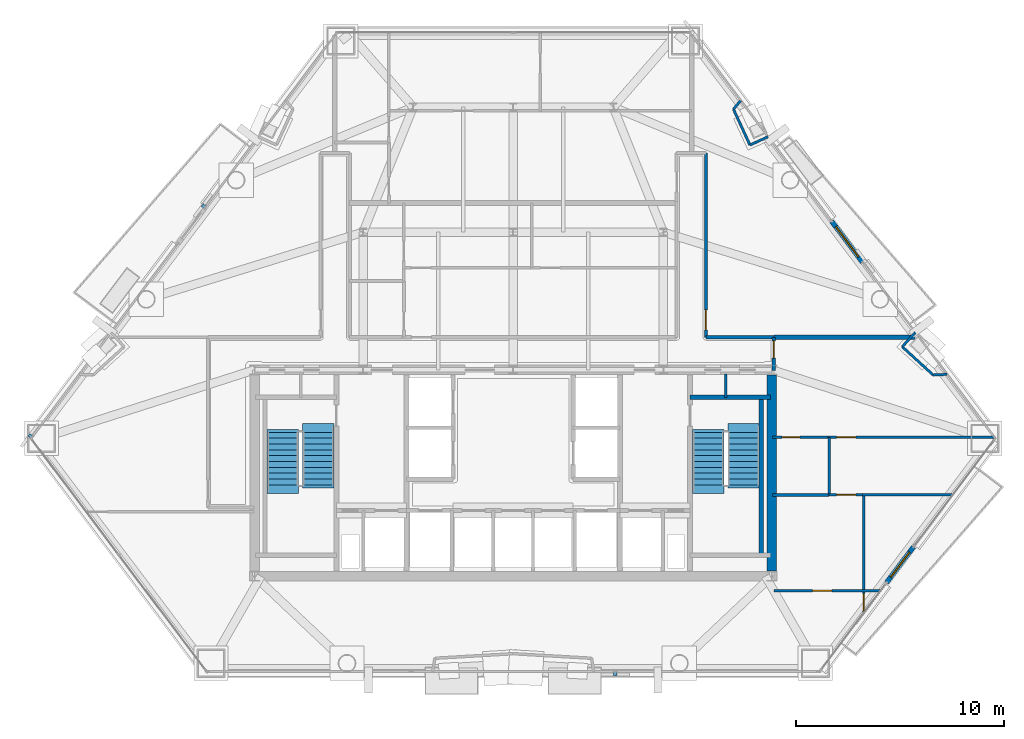
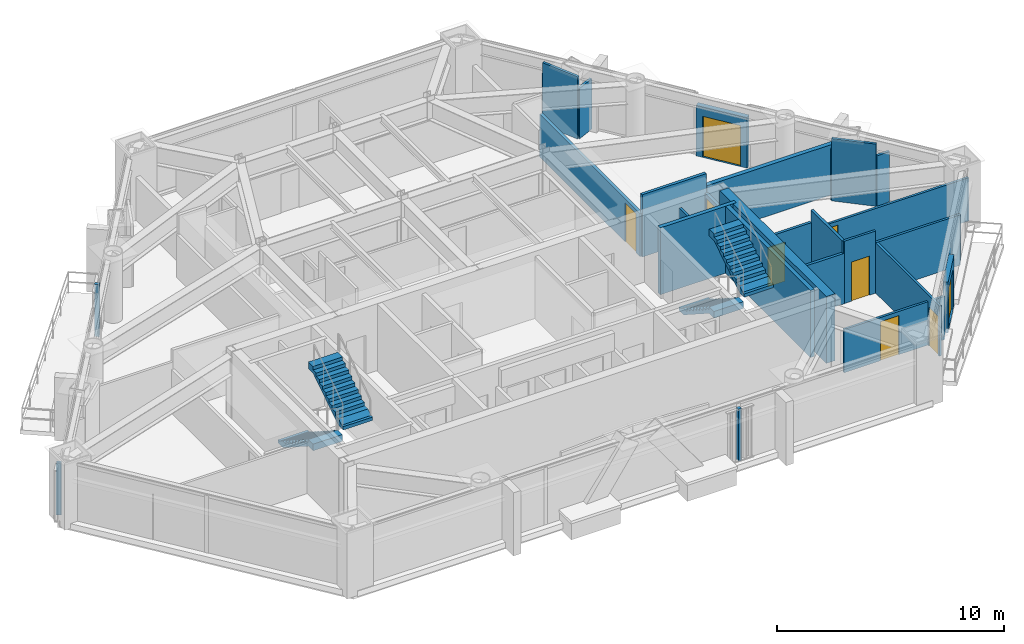
# One storey, part 8 of 11: 24 walls, 9 doors, 4 stair flights, 3 discrete accessories, 9 openings, 2 elements without a shape of their own.
"""IFC4 building model written with IfcOpenShell, lengths in metres."""

from ifc_helpers import new_model, si_unit, direction, frame, frame_2d, origin, origin_2d, place, context, subcontext, project, spatial, polyline, rectangle, outline, extrude, source, transform, mapped, material, layer, layer_set, type_object, type_shapes, element, fill, aggregate, save


model = new_model("IFC4")

# Units and contexts
model_context = context("Model", 3, precision=1e-05, world=origin(), true_north=direction((0.0, 1.0)))
body_context = subcontext(model_context, "Body", "Model", "MODEL_VIEW")
ifc_project = project(units=[si_unit("LENGTHUNIT", "METRE"), si_unit("AREAUNIT", "SQUARE_METRE"), si_unit("VOLUMEUNIT", "CUBIC_METRE"), si_unit("PLANEANGLEUNIT", "RADIAN"), si_unit("MASSUNIT", "GRAM", prefix="KILO")], contexts=[model_context])

# Site, building, storey
site_placement = place(None, origin())
site = spatial("IfcSite", under=ifc_project, at=site_placement, CompositionType="ELEMENT")
building_placement = place(site_placement, origin())
building = spatial("IfcBuilding", under=site, at=building_placement, Name="Talgorran Terracotta Tower", CompositionType="ELEMENT")
storey_placement = place(building_placement, frame((0.0, 0.0, 35.10009765625)))
storey = spatial("IfcBuildingStorey", under=building, at=storey_placement, Name="L08", CompositionType="ELEMENT", Elevation=35.10009765625)

# Wall, opening, door
ifc_material_1 = material(Name="Concrete C40/50", Category="concrete")
ifc_layer_1 = layer(ifc_material_1, 0.239990234375, Name="WT_BALCONY_SPAND")
ifc_layer_set_1 = layer_set([ifc_layer_1], Name="Concrete C40/50")
wall_type_1 = type_object("IfcWallType", Name="WT_BALCONY_SPAND", PredefinedType="STANDARD", material=ifc_layer_set_1)
wall_1_placement = place(storey_placement, frame((16.753173828125, 0.968505859375, -0.01513671875), z_axis=(0.0, 0.0, 1.0), x_axis=(-0.601871511513, 0.798592939882, 0.0)))
wall_1 = element("IfcWall", 1, at=wall_1_placement, inside=storey, type_object=wall_type_1, Name="WL-L08-BALP-BAL-NE", PredefinedType="STANDARD", context=body_context, shape_type="SweptSolid", body=[
    extrude(rectangle(XDim=2.43994140625, YDim=0.239990234375, at=frame_2d((1.219970703125, 0.0))), origin(), (0.0, 0.0, 1.0), 2.728515625),
])
opening_1_placement = place(wall_1_placement, frame((0.320068359375, 0.0, 0.014892578125)))
opening_1 = element("IfcOpeningElement", 2, at=opening_1_placement, cuts=wall_1, Name="Opening D-BAL-L08-1", PredefinedType="OPENING", context=body_context, shape_type="SweptSolid", body=[
    extrude(rectangle(XDim=1.806048828125, YDim=2.203951171875, at=frame_2d((0.89990234375, 1.10205078125))), frame((0.0, 0.1298828125, 0.0), z_axis=(0.0, -1.0, 0.0), x_axis=(1.0, 0.0, 0.0)), (0.0, 0.0, 1.0), 0.260009765625),
])
ifc_material_2 = material(Name="Thermally Broken Aluminium", Category="aluminium")
door_type_1 = type_object("IfcDoorType", Name="DT_BALC_1800", OperationType="SLIDING_TO_LEFT", PredefinedType="DOOR", material=ifc_material_2)
door_1_placement = place(opening_1_placement, origin())
door_1 = element("IfcDoor", 3, at=door_1_placement, inside=storey, type_object=door_type_1, Name="DR-L08-BAL-BAL-NE", OperationType="SLIDING_TO_LEFT", OverallHeight=2.199951171875, OverallWidth=1.800048828125, PredefinedType="DOOR", context=body_context, shape_type="SweptSolid", body=[
    extrude(rectangle(XDim=1.800048828125, YDim=2.199951171875, at=frame_2d((0.89990234375, 1.10009765625))), frame((0.0, 0.02490234375, 0.0), z_axis=(0.0, -1.0, 0.0), x_axis=(1.0, 0.0, 0.0)), (0.0, 0.0, 1.0), 0.050048828125),
])
fill(opening_1, door_1)

wall_2_placement = place(storey_placement, frame((17.9169921875, -14.404541015625, -0.01513671875), z_axis=(0.0, 0.0, 1.0), x_axis=(0.601896635284, 0.798574004357, 0.0)))
wall_2 = element("IfcWall", 4, at=wall_2_placement, inside=storey, type_object=wall_type_1, Name="WL-L08-BALP-BAL-SE", PredefinedType="STANDARD", context=body_context, shape_type="SweptSolid", body=[
    extrude(rectangle(XDim=2.14013671875, YDim=0.239990234375, at=frame_2d((1.070068359375, 0.0))), origin(), (0.0, 0.0, 1.0), 2.728515625),
])
opening_2_placement = place(wall_2_placement, frame((0.320068359375, 0.0, 0.014892578125)))
opening_2 = element("IfcOpeningElement", 5, at=opening_2_placement, cuts=wall_2, Name="Opening D-BAL-L08-3", PredefinedType="OPENING", context=body_context, shape_type="SweptSolid", body=[
    extrude(rectangle(XDim=1.506, YDim=2.203951171875, at=frame_2d((0.75, 1.10205078125))), frame((0.0, 0.1298828125, 0.0), z_axis=(0.0, -1.0, 0.0), x_axis=(1.0, 0.0, 0.0)), (0.0, 0.0, 1.0), 0.260009765625),
])
door_type_2 = type_object("IfcDoorType", Name="DT_BALC_1500", OperationType="SLIDING_TO_RIGHT", PredefinedType="DOOR", material=ifc_material_2)
door_2_placement = place(opening_2_placement, origin())
door_2 = element("IfcDoor", 6, at=door_2_placement, inside=storey, type_object=door_type_2, Name="DR-L08-BAL-BAL-SE", OperationType="SLIDING_TO_RIGHT", OverallHeight=2.199951171875, OverallWidth=1.5, PredefinedType="DOOR", context=body_context, shape_type="SweptSolid", body=[
    extrude(rectangle(XDim=1.5, YDim=2.199951171875, at=frame_2d((0.75, 1.10009765625))), frame((0.0, 0.02490234375, 0.0), z_axis=(0.0, -1.0, 0.0), x_axis=(1.0, 0.0, 0.0)), (0.0, 0.0, 1.0), 0.050048828125),
])
fill(opening_2, door_2)

# Walls
ifc_material_3 = material(Name="Concrete C50/60", Category="concrete")
ifc_layer_2 = layer(ifc_material_3, 0.199951171875, Name="WT_CORE_200")
ifc_layer_set_2 = layer_set([ifc_layer_2], Name="Concrete C50/60")
wall_type_2 = type_object("IfcWallType", Name="WT_CORE_200", PredefinedType="SOLIDWALL", material=ifc_layer_set_2)
wall_3_placement = place(storey_placement, frame((8.47998046875, -5.52001953125, 0.0), z_axis=(0.0, 0.0, 1.0), x_axis=(1.0, 0.0, 0.0)))
element("IfcWall", 7, at=wall_3_placement, inside=storey, type_object=wall_type_2, Name="WL-L08-CW-ST2-N", PredefinedType="SOLIDWALL", context=body_context, shape_type="SweptSolid", body=[
    extrude(rectangle(XDim=3.8701171875, YDim=0.199951171875, at=frame_2d((1.93505859375, 0.0))), origin(), (0.0, 0.0, 1.0), 3.599853515625),
])
wall_4_placement = place(storey_placement, frame((11.89990234375, -13.10009765625, 0.0), z_axis=(0.0, 0.0, 1.0), x_axis=(0.0, 1.0, 0.0)))
element("IfcWall", 8, at=wall_4_placement, inside=storey, type_object=wall_type_2, Name="WL-L08-CW-ST2-E", PredefinedType="SOLIDWALL", context=body_context, shape_type="SweptSolid", body=[
    extrude(rectangle(XDim=7.580078125, YDim=0.199951171875, at=frame_2d((3.7900390625, 0.0))), origin(), (0.0, 0.0, 1.0), 3.599853515625),
])
ifc_material_4 = material(Name="Concrete C65/80", Category="concrete")
ifc_layer_3 = layer(ifc_material_4, 0.449951171875, Name="WT_CORE_EXT")
ifc_layer_set_3 = layer_set([ifc_layer_3], Name="Concrete C65/80")
wall_type_3 = type_object("IfcWallType", Name="WT_CORE_EXT", PredefinedType="SHEAR", material=ifc_layer_set_3)
wall_5_placement = place(storey_placement, frame((12.39990234375, -13.85009765625, 0.0), z_axis=(0.0, 0.0, 1.0), x_axis=(0.0, 1.0, 0.0)))
element("IfcWall", 9, at=wall_5_placement, inside=storey, type_object=wall_type_3, Name="WL-L08-CW-OUT-E", PredefinedType="SHEAR", context=body_context, shape_type="SweptSolid", body=[
    extrude(rectangle(XDim=9.400146484375, YDim=0.449951171875, at=frame_2d((4.7001953125, 0.0))), origin(), (0.0, 0.0, 1.0), 3.599853515625),
])

# Wall, opening, door
ifc_material_5 = material(Name="Fire-Rated Steel Stud Plasterboard", Category="steel")
ifc_layer_4 = layer(ifc_material_5, 0.14990234375, Name="WT_FIRE_150")
ifc_layer_set_4 = layer_set([ifc_layer_4], Name="Fire-Rated Steel Stud Plasterboard")
wall_type_4 = type_object("IfcWallType", Name="WT_FIRE_150", PredefinedType="PARTITIONING", material=ifc_layer_set_4)
wall_6_placement = place(storey_placement, frame((9.239990234375, -2.639892578125, 0.0), z_axis=(0.0, 0.0, 1.0), x_axis=(0.0, 1.0, 0.0)))
wall_6 = element("IfcWall", 10, at=wall_6_placement, inside=storey, type_object=wall_type_4, Name="WL-L08-W-L08-R18", PredefinedType="PARTITIONING", context=body_context, shape_type="SweptSolid", body=[
    extrude(rectangle(XDim=8.83984375, YDim=0.14990234375, at=frame_2d((4.419921875, 0.0))), origin(), (0.0, 0.0, 1.0), 2.324951171875),
])
opening_3_placement = place(wall_6_placement, frame((0.359130859375, 0.0, 0.0)))
opening_3 = element("IfcOpeningElement", 11, at=opening_3_placement, cuts=wall_6, Name="Opening DR-L08-R19", PredefinedType="OPENING", context=body_context, shape_type="SweptSolid", body=[
    extrude(rectangle(XDim=0.955951171875, YDim=2.10409765625, at=frame_2d((0.47509765625, 1.052001953125))), frame((0.0, 0.0849609375, 0.0), z_axis=(0.0, -1.0, 0.0), x_axis=(1.0, 0.0, 0.0)), (0.0, 0.0, 1.0), 0.169921875),
])
ifc_material_6 = material(Name="Fire-Rated Timber Core", Category="wood")
door_type_3 = type_object("IfcDoorType", Name="DT_FIRE_950", OperationType="NOTDEFINED", PredefinedType="DOOR", material=ifc_material_6)
door_3_placement = place(opening_3_placement, origin())
door_3 = element("IfcDoor", 12, at=door_3_placement, inside=storey, type_object=door_type_3, Name="DR-L08-R19", OperationType="SINGLE_SWING_LEFT", OverallHeight=2.10009765625, OverallWidth=0.949951171875, PredefinedType="DOOR", context=body_context, shape_type="SweptSolid", body=[
    extrude(rectangle(XDim=0.949951171875, YDim=2.10009765625, at=frame_2d((0.47509765625, 1.050048828125))), frame((0.0, 0.02490234375, 0.0), z_axis=(0.0, -1.0, 0.0), x_axis=(1.0, 0.0, 0.0)), (0.0, 0.0, 1.0), 0.050048828125),
])
fill(opening_3, door_3)

# Wall
wall_7_placement = place(storey_placement, frame((9.239990234375, -2.639892578125, 0.0), z_axis=(0.0, 0.0, 1.0), x_axis=(1.0, 0.0, 0.0)))
element("IfcWall", 13, at=wall_7_placement, inside=storey, type_object=wall_type_4, Name="WL-L08-W-L08-R19", PredefinedType="PARTITIONING", context=body_context, shape_type="SweptSolid", body=[
    extrude(rectangle(XDim=3.260009765625, YDim=0.14990234375, at=frame_2d((1.6298828125, 0.0))), origin(), (0.0, 0.0, 1.0), 3.349853515625),
])

# Wall, opening, door
wall_8_placement = place(storey_placement, frame((12.5, -4.239990234375, 0.0), z_axis=(0.0, 0.0, 1.0), x_axis=(0.0, 1.0, 0.0)))
wall_8 = element("IfcWall", 14, at=wall_8_placement, inside=storey, type_object=wall_type_4, Name="WL-L08-W-L08-R03", PredefinedType="PARTITIONING", context=body_context, shape_type="SweptSolid", body=[
    extrude(rectangle(XDim=1.60009765625, YDim=0.14990234375, at=frame_2d((0.800048828125, 0.0))), origin(), (0.0, 0.0, 1.0), 2.324951171875),
])
opening_4_placement = place(wall_8_placement, frame((0.602294921875, 0.0, 0.0)))
opening_4 = element("IfcOpeningElement", 15, at=opening_4_placement, cuts=wall_8, Name="Opening DR-L08-R03", PredefinedType="OPENING", context=body_context, shape_type="SweptSolid", body=[
    extrude(rectangle(XDim=0.826068359375, YDim=2.10409765625, at=frame_2d((0.41015625, 1.052001953125))), frame((0.0, 0.0849609375, 0.0), z_axis=(0.0, -1.0, 0.0), x_axis=(1.0, 0.0, 0.0)), (0.0, 0.0, 1.0), 0.169921875),
])
ifc_material_7 = material(Name="Moisture-Resistant Solid Timber", Category="wood")
door_type_4 = type_object("IfcDoorType", Name="DT_INT_820", OperationType="NOTDEFINED", PredefinedType="DOOR", material=ifc_material_7)
door_4_placement = place(opening_4_placement, origin())
door_4 = element("IfcDoor", 16, at=door_4_placement, inside=storey, type_object=door_type_4, Name="DR-L08-R03", OperationType="SINGLE_SWING_LEFT", OverallHeight=2.10009765625, OverallWidth=0.820068359375, PredefinedType="DOOR", context=body_context, shape_type="SweptSolid", body=[
    extrude(rectangle(XDim=0.820068359375, YDim=2.10009765625, at=frame_2d((0.41015625, 1.050048828125))), frame((0.0, 0.02490234375, 0.0), z_axis=(0.0, -1.0, 0.0), x_axis=(1.0, 0.0, 0.0)), (0.0, 0.0, 1.0), 0.050048828125),
])
fill(opening_4, door_4)

# Walls
ifc_material_8 = material(Name="Acoustic Masonry and Plasterboard", Category="masonry")
ifc_layer_5 = layer(ifc_material_8, 0.219970703125, Name="WT_PARTY_220")
ifc_layer_set_5 = layer_set([ifc_layer_5], Name="Acoustic Masonry and Plasterboard")
wall_type_5 = type_object("IfcWallType", Name="WT_PARTY_220", PredefinedType="PARTITIONING", material=ifc_layer_set_5)
wall_9_placement = place(storey_placement, frame((12.5, -2.639892578125, 0.0), z_axis=(0.0, 0.0, 1.0), x_axis=(1.0, 0.0, 0.0)))
element("IfcWall", 17, at=wall_9_placement, inside=storey, type_object=wall_type_5, Name="WL-L08-W-L08-R24", PredefinedType="PARTITIONING", context=body_context, shape_type="SweptSolid", body=[
    extrude(rectangle(XDim=6.780029296875, YDim=0.219970703125, at=frame_2d((3.39013671875, 0.0))), origin(), (0.0, 0.0, 1.0), 2.71337890625),
])
ifc_material_9 = material(Name="Insulated Steel Stud Plasterboard", Category="steel")
ifc_layer_6 = layer(ifc_material_9, 0.1201171875, Name="WT_PART_120")
ifc_layer_set_6 = layer_set([ifc_layer_6], Name="Insulated Steel Stud Plasterboard")
wall_type_6 = type_object("IfcWallType", Name="WT_PART_120", PredefinedType="PARTITIONING", material=ifc_layer_set_6)
wall_10_placement = place(storey_placement, frame((10.199951171875, -5.52001953125, 0.0), z_axis=(0.0, 0.0, 1.0), x_axis=(0.0, 1.0, 0.0)))
element("IfcWall", 18, at=wall_10_placement, inside=storey, type_object=wall_type_6, Name="WL-L08-CW-CSE-DIV", PredefinedType="PARTITIONING", context=body_context, shape_type="SweptSolid", body=[
    extrude(rectangle(XDim=1.1201171875, YDim=0.1201171875, at=frame_2d((0.56005859375, 0.0))), origin(), (0.0, 0.0, 1.0), 3.349853515625),
])

# Wall, opening, door
wall_11_placement = place(storey_placement, frame((15.080078125, -7.43994140625, 0.0), z_axis=(0.0, 0.0, 1.0), x_axis=(1.0, 0.0, 0.0)))
wall_11 = element("IfcWall", 19, at=wall_11_placement, inside=storey, type_object=wall_type_6, Name="WL-L08-W-L08-R23", PredefinedType="PARTITIONING", context=body_context, shape_type="SweptSolid", body=[
    extrude(rectangle(XDim=8.00927734375, YDim=0.1201171875, at=frame_2d((4.004638671875, 0.0))), origin(), (0.0, 0.0, 1.0), 2.324951171875),
])
opening_5_placement = place(wall_11_placement, frame((0.439453125, 0.0, 0.0)))
opening_5 = element("IfcOpeningElement", 20, at=opening_5_placement, cuts=wall_11, Name="Opening DR-L08-R05", PredefinedType="OPENING", context=body_context, shape_type="SweptSolid", body=[
    extrude(rectangle(XDim=0.925921875, YDim=2.10409765625, at=frame_2d((0.4599609375, 1.052001953125))), frame((0.0, 0.070068359375, 0.0), z_axis=(0.0, -1.0, 0.0), x_axis=(1.0, 0.0, 0.0)), (0.0, 0.0, 1.0), 0.14013671875),
])
ifc_material_10 = material(Name="Solid-Core Painted Timber", Category="wood")
door_type_5 = type_object("IfcDoorType", Name="DT_INT_920", OperationType="NOTDEFINED", PredefinedType="DOOR", material=ifc_material_10)
door_5_placement = place(opening_5_placement, origin())
door_5 = element("IfcDoor", 21, at=door_5_placement, inside=storey, type_object=door_type_5, Name="DR-L08-R05", OperationType="SINGLE_SWING_LEFT", OverallHeight=2.10009765625, OverallWidth=0.919921875, PredefinedType="DOOR", context=body_context, shape_type="SweptSolid", body=[
    extrude(rectangle(XDim=0.919921875, YDim=2.10009765625, at=frame_2d((0.4599609375, 1.050048828125))), frame((0.0, 0.02490234375, 0.0), z_axis=(0.0, -1.0, 0.0), x_axis=(1.0, 0.0, 0.0)), (0.0, 0.0, 1.0), 0.050048828125),
])
fill(opening_5, door_5)

wall_12_placement = place(storey_placement, frame((16.820068359375, -15.860595703125, 0.0), z_axis=(0.0, 0.0, 1.0), x_axis=(0.0, 1.0, 0.0)))
wall_12 = element("IfcWall", 22, at=wall_12_placement, inside=storey, type_object=wall_type_6, Name="WL-L08-W-L08-R31", PredefinedType="PARTITIONING", context=body_context, shape_type="SweptSolid", body=[
    extrude(rectangle(XDim=5.66064453125, YDim=0.1201171875, at=frame_2d((2.830322265625, 0.0))), origin(), (0.0, 0.0, 1.0), 2.71337890625),
])
opening_6_placement = place(wall_12_placement, frame((0.10009765625, 0.0, 0.0)))
opening_6 = element("IfcOpeningElement", 23, at=opening_6_placement, cuts=wall_12, Name="Opening DR-L08-R06", PredefinedType="OPENING", context=body_context, shape_type="SweptSolid", body=[
    extrude(rectangle(XDim=0.826068359375, YDim=2.10409765625, at=frame_2d((0.41015625, 1.052001953125))), frame((0.0, 0.070068359375, 0.0), z_axis=(0.0, -1.0, 0.0), x_axis=(1.0, 0.0, 0.0)), (0.0, 0.0, 1.0), 0.14013671875),
])
door_6_placement = place(opening_6_placement, origin())
door_6 = element("IfcDoor", 24, at=door_6_placement, inside=storey, type_object=door_type_4, Name="DR-L08-R06", OperationType="SINGLE_SWING_RIGHT", OverallHeight=2.10009765625, OverallWidth=0.820068359375, PredefinedType="DOOR", context=body_context, shape_type="SweptSolid", body=[
    extrude(rectangle(XDim=0.820068359375, YDim=2.10009765625, at=frame_2d((0.41015625, 1.050048828125))), frame((0.0, 0.02490234375, 0.0), z_axis=(0.0, -1.0, 0.0), x_axis=(1.0, 0.0, 0.0)), (0.0, 0.0, 1.0), 0.050048828125),
])
fill(opening_6, door_6)

wall_13_placement = place(storey_placement, frame((12.5, -14.800048828125, 0.0), z_axis=(0.0, 0.0, 1.0), x_axis=(1.0, 0.0, 0.0)))
wall_13 = element("IfcWall", 25, at=wall_13_placement, inside=storey, type_object=wall_type_6, Name="WL-L08-W-L08-R29", PredefinedType="PARTITIONING", context=body_context, shape_type="SweptSolid", body=[
    extrude(rectangle(XDim=5.119140625, YDim=0.1201171875, at=frame_2d((2.5595703125, 0.0))), origin(), (0.0, 0.0, 1.0), 2.324951171875),
])
opening_7_placement = place(wall_13_placement, frame((1.85791015625, 0.0, 0.0)))
opening_7 = element("IfcOpeningElement", 26, at=opening_7_placement, cuts=wall_13, Name="Opening DR-L08-R07", PredefinedType="OPENING", context=body_context, shape_type="SweptSolid", body=[
    extrude(rectangle(XDim=0.925921875, YDim=2.10409765625, at=frame_2d((0.4599609375, 1.052001953125))), frame((0.0, 0.070068359375, 0.0), z_axis=(0.0, -1.0, 0.0), x_axis=(1.0, 0.0, 0.0)), (0.0, 0.0, 1.0), 0.14013671875),
])
door_7_placement = place(opening_7_placement, origin())
door_7 = element("IfcDoor", 27, at=door_7_placement, inside=storey, type_object=door_type_5, Name="DR-L08-R07", OperationType="SINGLE_SWING_LEFT", OverallHeight=2.10009765625, OverallWidth=0.919921875, PredefinedType="DOOR", context=body_context, shape_type="SweptSolid", body=[
    extrude(rectangle(XDim=0.919921875, YDim=2.10009765625, at=frame_2d((0.4599609375, 1.050048828125))), frame((0.0, 0.02490234375, 0.0), z_axis=(0.0, -1.0, 0.0), x_axis=(1.0, 0.0, 0.0)), (0.0, 0.0, 1.0), 0.050048828125),
])
fill(opening_7, door_7)

# Walls
wall_14_placement = place(storey_placement, frame((16.760009765625, -10.199951171875, 0.0), z_axis=(0.0, 0.0, 1.0), x_axis=(1.0, 0.0, 0.0)))
element("IfcWall", 28, at=wall_14_placement, inside=storey, type_object=wall_type_6, Name="WL-L08-W-L08-R28", PredefinedType="PARTITIONING", context=body_context, shape_type="SweptSolid", body=[
    extrude(rectangle(XDim=4.325439453125, YDim=0.1201171875, at=frame_2d((2.16259765625, 0.0))), origin(), (0.0, 0.0, 1.0), 2.71337890625),
])
wall_15_placement = place(storey_placement, frame((20.147705078125, -4.4521484375, 0.0), z_axis=(0.0, 0.0, 1.0), x_axis=(-0.738587935194, 0.674157149325, 0.0)))
element("IfcWall", 29, at=wall_15_placement, inside=storey, type_object=wall_type_6, Name="WL-L08-BW-L08-10", PredefinedType="PARTITIONING", context=body_context, shape_type="SweptSolid", body=[
    extrude(rectangle(XDim=2.011962890625, YDim=0.1201171875, at=frame_2d((1.005859375, 0.0))), origin(), (0.0, 0.0, 1.0), 3.349853515625),
])
wall_16_placement = place(storey_placement, frame((11.3564453125, 6.5791015625, 0.0), z_axis=(0.0, 0.0, 1.0), x_axis=(-0.417514536704, 0.90867024362, 0.0)))
element("IfcWall", 30, at=wall_16_placement, inside=storey, type_object=wall_type_6, Name="WL-L08-BW-L08-15", PredefinedType="PARTITIONING", context=body_context, shape_type="SweptSolid", body=[
    extrude(rectangle(XDim=1.896240234375, YDim=0.1201171875, at=frame_2d((0.9482421875, 0.0))), origin(), (0.0, 0.0, 1.0), 3.349853515625),
])

# Wall, opening, door
wall_17_placement = place(storey_placement, frame((15.159912109375, -10.199951171875, 0.0), z_axis=(0.0, 0.0, 1.0), x_axis=(1.0, 0.0, 0.0)))
wall_17 = element("IfcWall", 31, at=wall_17_placement, inside=storey, type_object=wall_type_6, Name="WL-L08-W-L08-R27", PredefinedType="PARTITIONING", context=body_context, shape_type="SweptSolid", body=[
    extrude(rectangle(XDim=1.59814453125, YDim=0.1201171875, at=frame_2d((0.799072265625, 0.0))), origin(), (0.0, 0.0, 1.0), 3.349853515625),
])
opening_8_placement = place(wall_17_placement, frame((0.360107421875, 0.0, 0.0)))
opening_8 = element("IfcOpeningElement", 32, at=opening_8_placement, cuts=wall_17, Name="Opening DR-L08-R20", PredefinedType="OPENING", context=body_context, shape_type="SweptSolid", body=[
    extrude(rectangle(XDim=0.925921875, YDim=2.10409765625, at=frame_2d((0.4599609375, 1.052001953125))), frame((0.0, 0.070068359375, 0.0), z_axis=(0.0, -1.0, 0.0), x_axis=(1.0, 0.0, 0.0)), (0.0, 0.0, 1.0), 0.14013671875),
])
door_8_placement = place(opening_8_placement, origin())
door_8 = element("IfcDoor", 33, at=door_8_placement, inside=storey, type_object=door_type_5, Name="DR-L08-R20", OperationType="SINGLE_SWING_RIGHT", OverallHeight=2.10009765625, OverallWidth=0.919921875, PredefinedType="DOOR", context=body_context, shape_type="SweptSolid", body=[
    extrude(rectangle(XDim=0.919921875, YDim=2.10009765625, at=frame_2d((0.4599609375, 1.050048828125))), frame((0.0, 0.02490234375, 0.0), z_axis=(0.0, -1.0, 0.0), x_axis=(1.0, 0.0, 0.0)), (0.0, 0.0, 1.0), 0.050048828125),
])
fill(opening_8, door_8)

# Walls
wall_18_placement = place(storey_placement, frame((12.21533203125, 6.9736328125, 0.0), z_axis=(0.0, 0.0, 1.0), x_axis=(-0.908713919018, -0.417419469339, 0.0)))
element("IfcWall", 34, at=wall_18_placement, inside=storey, type_object=wall_type_6, Name="WL-L08-BW-L08-14", PredefinedType="PARTITIONING", context=body_context, shape_type="SweptSolid", body=[
    extrude(rectangle(XDim=0.945068359375, YDim=0.1201171875, at=frame_2d((0.47265625, 0.0))), origin(), (0.0, 0.0, 1.0), 2.71337890625),
])
wall_19_placement = place(storey_placement, frame((18.66162109375, -3.095703125, 0.0), z_axis=(0.0, 0.0, 1.0), x_axis=(0.674125797279, 0.738616551021, 0.0)))
element("IfcWall", 35, at=wall_19_placement, inside=storey, type_object=wall_type_6, Name="WL-L08-BW-L08-08", PredefinedType="PARTITIONING", context=body_context, shape_type="SweptSolid", body=[
    extrude(rectangle(XDim=0.927490234375, YDim=0.1201171875, at=frame_2d((0.4638671875, 0.0))), origin(), (0.0, 0.0, 1.0), 2.71337890625),
])
wall_20_placement = place(storey_placement, frame((20.7998046875, -4.418212890625, 0.0), z_axis=(0.0, 0.0, 1.0), x_axis=(-0.998648640801, -0.051970108975, 0.0)))
element("IfcWall", 36, at=wall_20_placement, inside=storey, type_object=wall_type_6, Name="WL-L08-BW-L08-09", PredefinedType="PARTITIONING", context=body_context, shape_type="SweptSolid", body=[
    extrude(rectangle(XDim=0.653076171875, YDim=0.1201171875, at=frame_2d((0.32666015625, 0.0))), origin(), (0.0, 0.0, 1.0), 2.71337890625),
])
wall_21_placement = place(storey_placement, frame((10.564697265625, 8.30224609375, 0.0), z_axis=(0.0, 0.0, 1.0), x_axis=(0.648594610132, 0.761134043193, 0.0)))
element("IfcWall", 37, at=wall_21_placement, inside=storey, type_object=wall_type_6, Name="WL-L08-BW-L08-16", PredefinedType="PARTITIONING", context=body_context, shape_type="SweptSolid", body=[
    extrude(rectangle(XDim=0.531494140625, YDim=0.1201171875, at=frame_2d((0.265625, 0.0))), origin(), (0.0, 0.0, 1.0), 2.71337890625),
])

# Wall, opening, door
ifc_material_11 = material(Name="Moisture-Resistant Stud Wall")
ifc_layer_7 = layer(ifc_material_11, 0.135009765625, Name="WT_PART_135")
ifc_layer_set_7 = layer_set([ifc_layer_7], Name="Moisture-Resistant Stud Wall")
wall_type_7 = type_object("IfcWallType", Name="WT_PART_135", PredefinedType="PARTITIONING", material=ifc_layer_set_7)
wall_22_placement = place(storey_placement, frame((12.43994140625, -7.43994140625, 0.0), z_axis=(0.0, 0.0, 1.0), x_axis=(1.0, 0.0, 0.0)))
wall_22 = element("IfcWall", 38, at=wall_22_placement, inside=storey, type_object=wall_type_7, Name="WL-L08-W-L08-R22", PredefinedType="PARTITIONING", context=body_context, shape_type="SweptSolid", body=[
    extrude(rectangle(XDim=2.637939453125, YDim=0.135009765625, at=frame_2d((1.31884765625, 0.0))), origin(), (0.0, 0.0, 1.0), 2.71337890625),
])
opening_9_placement = place(wall_22_placement, frame((0.458251953125, 0.0, 0.0)))
opening_9 = element("IfcOpeningElement", 39, at=opening_9_placement, cuts=wall_22, Name="Opening DR-L08-R04", PredefinedType="OPENING", context=body_context, shape_type="SweptSolid", body=[
    extrude(rectangle(XDim=0.85609765625, YDim=2.10409765625, at=frame_2d((0.425048828125, 1.052001953125))), frame((0.0, 0.07763671875, 0.0), z_axis=(0.0, -1.0, 0.0), x_axis=(1.0, 0.0, 0.0)), (0.0, 0.0, 1.0), 0.155029296875),
])
door_type_6 = type_object("IfcDoorType", Name="DT_INT_850", OperationType="NOTDEFINED", PredefinedType="DOOR", material=ifc_material_7)
door_9_placement = place(opening_9_placement, origin())
door_9 = element("IfcDoor", 40, at=door_9_placement, inside=storey, type_object=door_type_6, Name="DR-L08-R04", OperationType="SINGLE_SWING_RIGHT", OverallHeight=2.10009765625, OverallWidth=0.85009765625, PredefinedType="DOOR", context=body_context, shape_type="SweptSolid", body=[
    extrude(rectangle(XDim=0.85009765625, YDim=2.10009765625, at=frame_2d((0.425048828125, 1.050048828125))), frame((0.0, 0.02490234375, 0.0), z_axis=(0.0, -1.0, 0.0), x_axis=(1.0, 0.0, 0.0)), (0.0, 0.0, 1.0), 0.050048828125),
])
fill(opening_9, door_9)

# Walls
wall_23_placement = place(storey_placement, frame((15.159912109375, -10.199951171875, 0.0), z_axis=(0.0, 0.0, 1.0), x_axis=(0.0, 1.0, 0.0)))
element("IfcWall", 41, at=wall_23_placement, inside=storey, type_object=wall_type_7, Name="WL-L08-W-L08-R25", PredefinedType="PARTITIONING", context=body_context, shape_type="SweptSolid", body=[
    extrude(rectangle(XDim=2.760009765625, YDim=0.135009765625, at=frame_2d((1.3798828125, 0.0))), origin(), (0.0, 0.0, 1.0), 3.349853515625),
])
wall_24_placement = place(storey_placement, frame((12.43994140625, -10.199951171875, 0.0), z_axis=(0.0, 0.0, 1.0), x_axis=(1.0, 0.0, 0.0)))
element("IfcWall", 42, at=wall_24_placement, inside=storey, type_object=wall_type_7, Name="WL-L08-W-L08-R26", PredefinedType="PARTITIONING", context=body_context, shape_type="SweptSolid", body=[
    extrude(rectangle(XDim=2.719970703125, YDim=0.135009765625, at=frame_2d((1.35986328125, 0.0))), origin(), (0.0, 0.0, 1.0), 2.71337890625),
])

# Stair, stair flights
stair_type = type_object("IfcStairType", Name="ST_FIRE_SCISSOR", PredefinedType="HALF_TURN_STAIR", material=ifc_material_1)
stair_1_placement = place(storey_placement, origin())
stair_1 = element("IfcStair", 43, at=stair_1_placement, inside=storey, type_object=stair_type, Name="L08 West Protected Fire Stair ST-01", PredefinedType="HALF_TURN_STAIR")
ifc_layer_8 = layer(ifc_material_1, 0.179931640625, Name="STF_RC_1500")
ifc_layer_set_8 = layer_set([ifc_layer_8], Name="Concrete C40/50")
stair_flight_type = type_object("IfcStairFlightType", Name="STF_RC_1500", PredefinedType="STRAIGHT", material=ifc_layer_set_8)
stair_flight_1_placement = place(storey_placement, frame((-11.050048828125, -7.199951171875, 0.0), z_axis=(0.0, 0.0, 1.0), x_axis=(0.0, -1.0, 0.0)))
stair_flight_1 = element("IfcStairFlight", 44, at=stair_flight_1_placement, type_object=stair_flight_type, Name="ST-01 flight 1", NumberOfRisers=10, NumberOfTreads=9, PredefinedType="STRAIGHT", RiserHeight=0.18, TreadLength=0.28, context=body_context, shape_type="SweptSolid", body=[
    extrude(outline(polyline([(-0.139892578125, 0.0), (-0.139892578125, 0.179931640625), (0.0, 0.179931640625), (0.280029296875, 0.360107421875), (0.56005859375, 0.360107421875), (0.56005859375, 0.5400390625), (0.840087890625, 0.5400390625), (0.840087890625, 0.719970703125), (1.1201171875, 0.719970703125), (1.1201171875, 0.89990234375), (1.39990234375, 0.89990234375), (1.39990234375, 1.080078125), (1.679931640625, 1.080078125), (1.679931640625, 1.260009765625), (1.9599609375, 1.260009765625), (1.9599609375, 1.43994140625), (2.239990234375, 1.43994140625), (2.239990234375, 1.6201171875), (2.52001953125, 1.6201171875), (2.52001953125, 1.800048828125), (2.93994140625, 1.800048828125), (2.93994140625, 1.44189453125), (2.52001953125, 1.44189453125), (0.277099609375, 0.0), (-0.139892578125, 0.0)])), frame((0.0, 0.75, 0.0), z_axis=(0.0, -1.0, 0.0), x_axis=(1.0, 0.0, 0.0)), (0.0, 0.0, 1.0), 1.5),
])
stair_flight_2_placement = place(storey_placement, frame((-9.35009765625, -9.719970703125, 1.7998046875), z_axis=(0.0, 0.0, 1.0), x_axis=(0.0, 1.0, 0.0)))
stair_flight_2 = element("IfcStairFlight", 45, at=stair_flight_2_placement, type_object=stair_flight_type, Name="ST-01 flight 2", NumberOfRisers=10, NumberOfTreads=9, PredefinedType="STRAIGHT", RiserHeight=0.18, TreadLength=0.28, context=body_context, shape_type="SweptSolid", body=[
    extrude(outline(polyline([(-0.139892578125, 0.0), (-0.139892578125, 0.179931640625), (0.0, 0.179931640625), (0.280029296875, 0.360107421875), (0.56005859375, 0.360107421875), (0.56005859375, 0.5400390625), (0.840087890625, 0.5400390625), (0.840087890625, 0.719970703125), (1.1201171875, 0.719970703125), (1.1201171875, 0.89990234375), (1.39990234375, 0.89990234375), (1.39990234375, 1.080078125), (1.679931640625, 1.080078125), (1.679931640625, 1.260009765625), (1.9599609375, 1.260009765625), (1.9599609375, 1.43994140625), (2.239990234375, 1.43994140625), (2.239990234375, 1.6201171875), (2.52001953125, 1.6201171875), (2.52001953125, 1.800048828125), (2.93994140625, 1.800048828125), (2.93994140625, 1.44189453125), (2.52001953125, 1.44189453125), (0.277099609375, 0.0), (-0.139892578125, 0.0)])), frame((0.0, 0.75, 0.0), z_axis=(0.0, -1.0, 0.0), x_axis=(1.0, 0.0, 0.0)), (0.0, 0.0, 1.0), 1.5),
])
aggregate(stair_1, [stair_flight_1, stair_flight_2])

stair_2_placement = place(storey_placement, origin())
stair_2 = element("IfcStair", 46, at=stair_2_placement, inside=storey, type_object=stair_type, Name="L08 East Protected Fire Stair ST-02", PredefinedType="HALF_TURN_STAIR")
stair_flight_3_placement = place(storey_placement, frame((9.35009765625, -7.199951171875, 0.0), z_axis=(0.0, 0.0, 1.0), x_axis=(0.0, -1.0, 0.0)))
stair_flight_3 = element("IfcStairFlight", 47, at=stair_flight_3_placement, type_object=stair_flight_type, Name="ST-02 flight 1", NumberOfRisers=10, NumberOfTreads=9, PredefinedType="STRAIGHT", RiserHeight=0.18, TreadLength=0.28, context=body_context, shape_type="SweptSolid", body=[
    extrude(outline(polyline([(-0.139892578125, 0.0), (-0.139892578125, 0.179931640625), (0.0, 0.179931640625), (0.280029296875, 0.360107421875), (0.56005859375, 0.360107421875), (0.56005859375, 0.5400390625), (0.840087890625, 0.5400390625), (0.840087890625, 0.719970703125), (1.1201171875, 0.719970703125), (1.1201171875, 0.89990234375), (1.39990234375, 0.89990234375), (1.39990234375, 1.080078125), (1.679931640625, 1.080078125), (1.679931640625, 1.260009765625), (1.9599609375, 1.260009765625), (1.9599609375, 1.43994140625), (2.239990234375, 1.43994140625), (2.239990234375, 1.6201171875), (2.52001953125, 1.6201171875), (2.52001953125, 1.800048828125), (2.93994140625, 1.800048828125), (2.93994140625, 1.44189453125), (2.52001953125, 1.44189453125), (0.277099609375, 0.0), (-0.139892578125, 0.0)])), frame((0.0, 0.75, 0.0), z_axis=(0.0, -1.0, 0.0), x_axis=(1.0, 0.0, 0.0)), (0.0, 0.0, 1.0), 1.5),
])
stair_flight_4_placement = place(storey_placement, frame((11.050048828125, -9.719970703125, 1.7998046875), z_axis=(0.0, 0.0, 1.0), x_axis=(0.0, 1.0, 0.0)))
stair_flight_4 = element("IfcStairFlight", 48, at=stair_flight_4_placement, type_object=stair_flight_type, Name="ST-02 flight 2", NumberOfRisers=10, NumberOfTreads=9, PredefinedType="STRAIGHT", RiserHeight=0.18, TreadLength=0.28, context=body_context, shape_type="SweptSolid", body=[
    extrude(outline(polyline([(-0.139892578125, 0.0), (-0.139892578125, 0.179931640625), (0.0, 0.179931640625), (0.280029296875, 0.360107421875), (0.56005859375, 0.360107421875), (0.56005859375, 0.5400390625), (0.840087890625, 0.5400390625), (0.840087890625, 0.719970703125), (1.1201171875, 0.719970703125), (1.1201171875, 0.89990234375), (1.39990234375, 0.89990234375), (1.39990234375, 1.080078125), (1.679931640625, 1.080078125), (1.679931640625, 1.260009765625), (1.9599609375, 1.260009765625), (1.9599609375, 1.43994140625), (2.239990234375, 1.43994140625), (2.239990234375, 1.6201171875), (2.52001953125, 1.6201171875), (2.52001953125, 1.800048828125), (2.93994140625, 1.800048828125), (2.93994140625, 1.44189453125), (2.52001953125, 1.44189453125), (0.277099609375, 0.0), (-0.139892578125, 0.0)])), frame((0.0, 0.75, 0.0), z_axis=(0.0, -1.0, 0.0), x_axis=(1.0, 0.0, 0.0)), (0.0, 0.0, 1.0), 1.5),
])
aggregate(stair_2, [stair_flight_3, stair_flight_4])

# Discrete accessories
ifc_material_12 = material(Name="Stainless Steel Grade 316", Category="steel")
ifc_layer_9 = layer(ifc_material_12, 0.080078125, Name="ACC_BAGUETTE_BRKT")
ifc_layer_set_9 = layer_set([ifc_layer_9], Name="Stainless Steel Grade 316")
discrete_accessory_type = type_object("IfcDiscreteAccessoryType", Name="ACC_BAGUETTE_BRKT", PredefinedType="BRACKET", material=ifc_layer_set_9)
shared_shape = source(origin(), body_context, "Body", "SweptSolid", [
    extrude(rectangle(XDim=0.159912109375, YDim=0.219970703125, at=origin_2d()), origin(), (0.0, 0.0, 1.0), 2.800048828125),
])
type_shapes(discrete_accessory_type, [shared_shape])
for number, where, z_axis, x_axis, name in (
    (49, (4.8984375, -18.75, 0.35009765625), (0.0, 0.0, 1.0), (1.0, 0.0, 0.0), "BRK-L08-F1"),
    (50, (-14.829833984375, 3.636962890625, 0.35009765625), (0.0, 0.0, 1.0), (-0.601801084241, -0.798646013579, 0.0), "BRK-L08-F60"),
    (51, (-23.139404296875, -7.390380859375, 0.35009765625), (0.0, 0.0, 1.0), (-0.601815023152, -0.798635510047, 0.0), "BRK-L08-F61"),
):
    element("IfcDiscreteAccessory", number, at=place(storey_placement, frame(where, z_axis=z_axis, x_axis=x_axis)), inside=storey, type_object=discrete_accessory_type, Name=name, PredefinedType="BRACKET", context=body_context, shape_type="MappedRepresentation", body=[
        mapped(shared_shape, transform((0.0, 0.0, 0.0), scale=1.0)),
    ])

save(model, "model.ifc")
